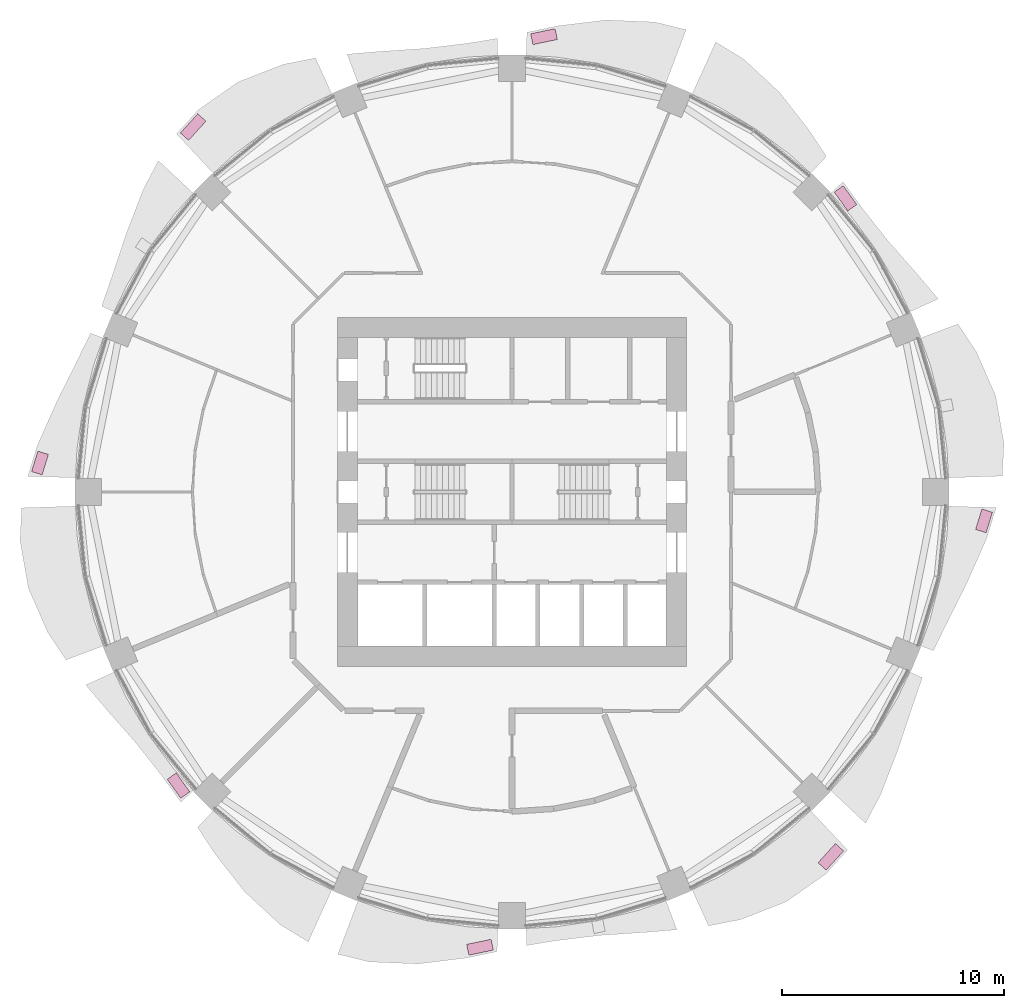
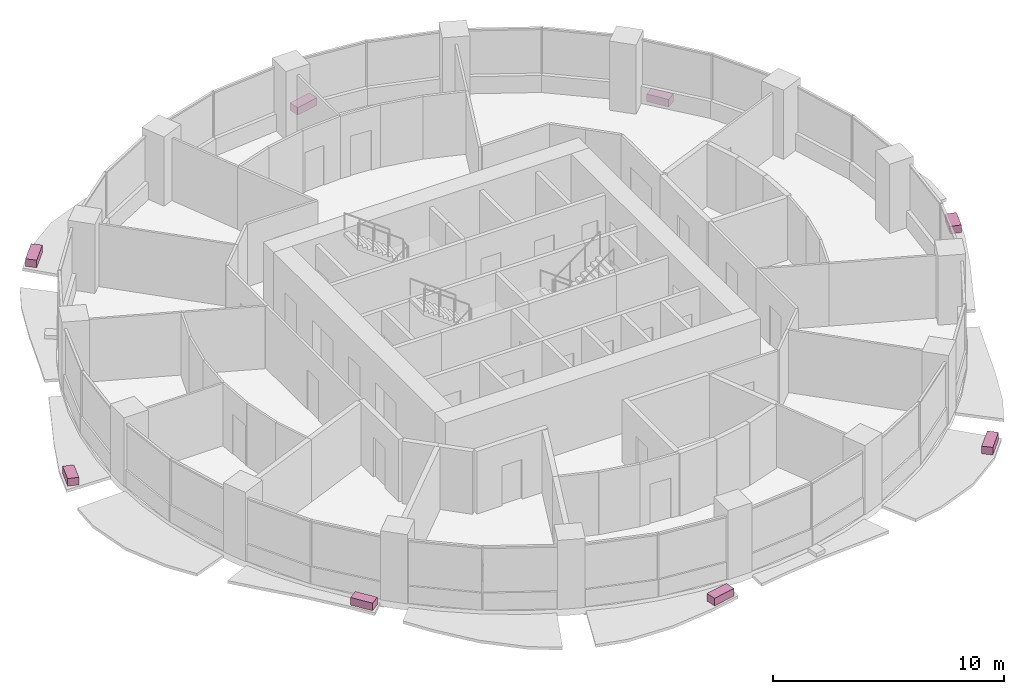
# One storey, part 15 of 15: 8 furniture elements.
"""IFC4 building model written with IfcOpenShell, lengths in metres."""

from ifc_helpers import new_model, si_unit, direction, frame, origin, origin_2d, place, context, subcontext, project, spatial, rectangle, extrude, material, type_object, element, save


model = new_model("IFC4")

# Units and contexts
model_context = context("Model", 3, precision=1e-05, world=origin(), true_north=direction((0.0, 1.0)))
body_context = subcontext(model_context, "Body", "Model", "MODEL_VIEW")
ifc_project = project(units=[si_unit("LENGTHUNIT", "METRE"), si_unit("AREAUNIT", "SQUARE_METRE"), si_unit("VOLUMEUNIT", "CUBIC_METRE"), si_unit("PLANEANGLEUNIT", "RADIAN"), si_unit("MASSUNIT", "GRAM", prefix="KILO")], contexts=[model_context])

# Site, building, storey
site_placement = place(None, origin())
site = spatial("IfcSite", under=ifc_project, at=site_placement, CompositionType="ELEMENT")
building_placement = place(site_placement, origin())
building = spatial("IfcBuilding", under=site, at=building_placement, Name="Polderwave Tower", CompositionType="ELEMENT")
storey_placement = place(building_placement, frame((0.0, 0.0, 37.14990234375)))
storey = spatial("IfcBuildingStorey", under=building, at=storey_placement, Name="L09", CompositionType="ELEMENT", Elevation=37.14990234375)

# Furniture
ifc_material = material(Name="Terracotta", Category="masonry")
furniture_type = type_object("IfcFurnitureType", Name="Terracotta planting trough", AssemblyPlace="NOTDEFINED", PredefinedType="USERDEFINED", material=ifc_material)
furniture_1_placement = place(storey_placement, frame((15.036376953125, 13.23779296875, -0.199951171875), z_axis=(0.0, 0.0, 1.0), x_axis=(-0.58496050613, 0.811061777097, 0.0)))
element("IfcFurniture", 1, at=furniture_1_placement, inside=storey, type_object=furniture_type, Name="Planting trough L09 2", ObjectType="PLANTER", PredefinedType="USERDEFINED", context=body_context, shape_type="SweptSolid", body=[
    extrude(rectangle(XDim=1.047119140625, YDim=0.5, at=origin_2d()), origin(), (0.0, 0.0, 1.0), 0.39990234375),
])
furniture_2_placement = place(storey_placement, frame((1.442626953125, 20.52734375, -0.199951171875), z_axis=(0.0, 0.0, 1.0), x_axis=(-0.978774132926, -0.204941934986, 0.0)))
element("IfcFurniture", 2, at=furniture_2_placement, inside=storey, type_object=furniture_type, Name="Planting trough L09 4", ObjectType="PLANTER", PredefinedType="USERDEFINED", context=body_context, shape_type="SweptSolid", body=[
    extrude(rectangle(XDim=1.12841796875, YDim=0.5, at=origin_2d()), origin(), (0.0, 0.0, 1.0), 0.39990234375),
])
furniture_3_placement = place(storey_placement, frame((-14.37451171875, 16.451416015625, -0.199951171875), z_axis=(0.0, 0.0, 1.0), x_axis=(-0.670364456984, -0.742032003901, 0.0)))
element("IfcFurniture", 3, at=furniture_3_placement, inside=storey, type_object=furniture_type, Name="Planting trough L09 6", ObjectType="PLANTER", PredefinedType="USERDEFINED", context=body_context, shape_type="SweptSolid", body=[
    extrude(rectangle(XDim=1.170166015625, YDim=0.5, at=origin_2d()), origin(), (0.0, 0.0, 1.0), 0.39990234375),
])
furniture_4_placement = place(storey_placement, frame((-21.281005859375, 1.30419921875, -0.199951171875), z_axis=(0.0, 0.0, 1.0), x_axis=(-0.295893112049, -0.955221056218, 0.0)))
element("IfcFurniture", 4, at=furniture_4_placement, inside=storey, type_object=furniture_type, Name="Planting trough L09 8", ObjectType="PLANTER", PredefinedType="USERDEFINED", context=body_context, shape_type="SweptSolid", body=[
    extrude(rectangle(XDim=0.965576171875, YDim=0.5, at=origin_2d()), origin(), (0.0, 0.0, 1.0), 0.39990234375),
])
furniture_5_placement = place(storey_placement, frame((-15.036376953125, -13.23779296875, -0.199951171875), z_axis=(0.0, 0.0, 1.0), x_axis=(0.58496050613, -0.811061777097, 0.0)))
element("IfcFurniture", 5, at=furniture_5_placement, inside=storey, type_object=furniture_type, Name="Planting trough L09 10", ObjectType="PLANTER", PredefinedType="USERDEFINED", context=body_context, shape_type="SweptSolid", body=[
    extrude(rectangle(XDim=1.047119140625, YDim=0.5, at=origin_2d()), origin(), (0.0, 0.0, 1.0), 0.39990234375),
])
furniture_6_placement = place(storey_placement, frame((-1.442626953125, -20.52734375, -0.199951171875), z_axis=(0.0, 0.0, 1.0), x_axis=(0.978774132926, 0.204941934986, 0.0)))
element("IfcFurniture", 6, at=furniture_6_placement, inside=storey, type_object=furniture_type, Name="Planting trough L09 12", ObjectType="PLANTER", PredefinedType="USERDEFINED", context=body_context, shape_type="SweptSolid", body=[
    extrude(rectangle(XDim=1.12841796875, YDim=0.5, at=origin_2d()), origin(), (0.0, 0.0, 1.0), 0.39990234375),
])
furniture_7_placement = place(storey_placement, frame((14.37451171875, -16.451416015625, -0.199951171875), z_axis=(0.0, 0.0, 1.0), x_axis=(0.670364456984, 0.742032003901, 0.0)))
element("IfcFurniture", 7, at=furniture_7_placement, inside=storey, type_object=furniture_type, Name="Planting trough L09 14", ObjectType="PLANTER", PredefinedType="USERDEFINED", context=body_context, shape_type="SweptSolid", body=[
    extrude(rectangle(XDim=1.170166015625, YDim=0.5, at=origin_2d()), origin(), (0.0, 0.0, 1.0), 0.39990234375),
])
furniture_8_placement = place(storey_placement, frame((21.281005859375, -1.30419921875, -0.199951171875), z_axis=(0.0, 0.0, 1.0), x_axis=(0.295893112049, 0.955221056218, 0.0)))
element("IfcFurniture", 8, at=furniture_8_placement, inside=storey, type_object=furniture_type, Name="Planting trough L09 16", ObjectType="PLANTER", PredefinedType="USERDEFINED", context=body_context, shape_type="SweptSolid", body=[
    extrude(rectangle(XDim=0.965576171875, YDim=0.5, at=origin_2d()), origin(), (0.0, 0.0, 1.0), 0.39990234375),
])

save(model, "model.ifc")
